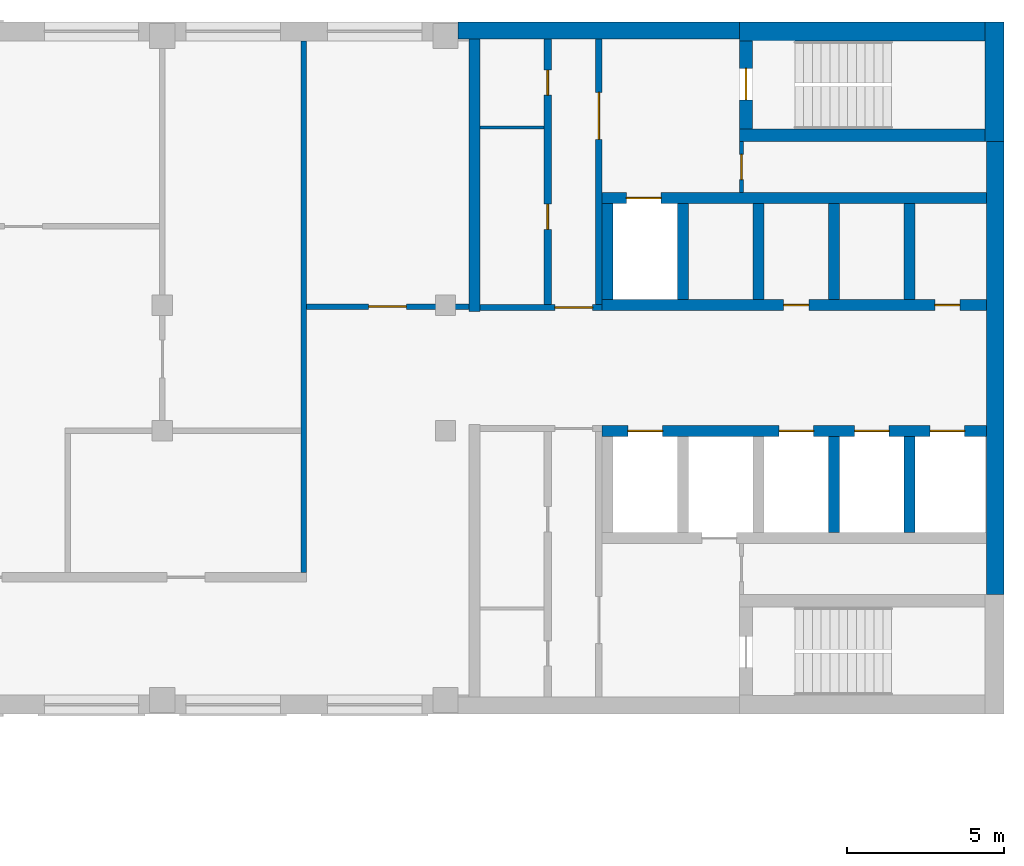
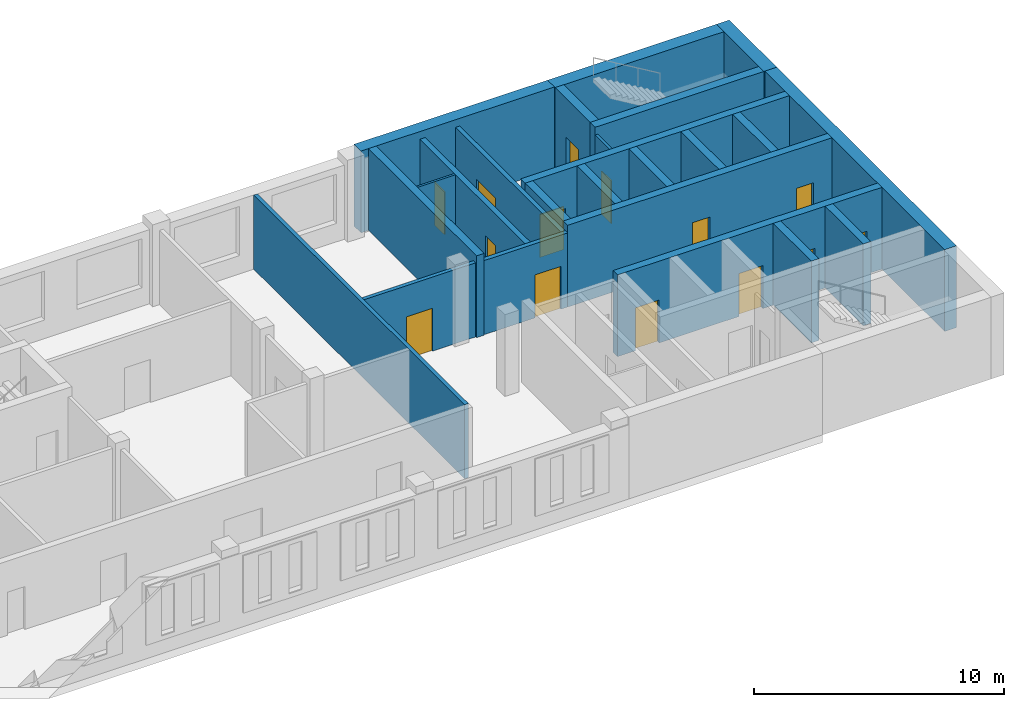
# One storey, part 6 of 8: 24 walls, 14 doors, 14 openings.
"""IFC4 building model written with IfcOpenShell, lengths in metres."""

from ifc_helpers import new_model, si_unit, direction, frame, frame_2d, origin, place, context, subcontext, project, spatial, rectangle, extrude, material, layer, layer_set, type_object, element, fill, save


model = new_model("IFC4")

# Units and contexts
model_context = context("Model", 3, precision=1e-05, world=origin(), true_north=direction((0.0, 1.0)))
body_context = subcontext(model_context, "Body", "Model", "MODEL_VIEW")
ifc_project = project(units=[si_unit("LENGTHUNIT", "METRE"), si_unit("AREAUNIT", "SQUARE_METRE"), si_unit("VOLUMEUNIT", "CUBIC_METRE"), si_unit("PLANEANGLEUNIT", "RADIAN"), si_unit("MASSUNIT", "GRAM", prefix="KILO")], contexts=[model_context])

# Site, building, storey
site_placement = place(None, origin())
site = spatial("IfcSite", under=ifc_project, at=site_placement, CompositionType="ELEMENT")
building_placement = place(site_placement, origin())
building = spatial("IfcBuilding", under=site, at=building_placement, Name="Skarvind Civic Tower", CompositionType="ELEMENT")
storey_placement = place(building_placement, frame((0.0, 0.0, 138.5)))
storey = spatial("IfcBuildingStorey", under=building, at=storey_placement, Name="L32", CompositionType="ELEMENT", Elevation=138.5)

# Wall
ifc_material_1 = material(Name="Acoustic gypsum board on steel studs", Category="steel")
ifc_layer_1 = layer(ifc_material_1, 0.175048828125)
ifc_layer_set_1 = layer_set([ifc_layer_1], Name="ACOUSTIC MEETING-ROOM PARTITION 175")
wall_type_1 = type_object("IfcWallType", Name="ACOUSTIC MEETING-ROOM PARTITION 175", PredefinedType="PARTITIONING", material=ifc_layer_set_1)
wall_1_placement = place(storey_placement, frame((85.75, 121.5, 0.0), z_axis=(0.0, 0.0, 1.0), x_axis=(0.0, 1.0, 0.0)))
element("IfcWall", 1, at=wall_1_placement, inside=storey, type_object=wall_type_1, Name="Partition 32.039", PredefinedType="PARTITIONING", context=body_context, shape_type="SweptSolid", body=[
    extrude(rectangle(XDim=16.89990234375, YDim=0.175048828125, at=frame_2d((8.449951171875, 0.0))), origin(), (0.0, 0.0, 1.0), 3.625),
])

# Wall, opening, door
wall_2_placement = place(storey_placement, frame((85.837890625, 129.949951171875, 0.0), z_axis=(0.0, 0.0, 1.0), x_axis=(1.0, 0.0, 0.0)))
wall_2 = element("IfcWall", 2, at=wall_2_placement, inside=storey, type_object=wall_type_1, Name="Partition 32.040", PredefinedType="PARTITIONING", context=body_context, shape_type="SweptSolid", body=[
    extrude(rectangle(XDim=5.162109375, YDim=0.175048828125, at=frame_2d((2.5810546875, 0.0))), origin(), (0.0, 0.0, 1.0), 3.625),
])
opening_1_placement = place(wall_2_placement, frame((1.970947265625, 0.0, 0.0)))
opening_1 = element("IfcOpeningElement", 3, at=opening_1_placement, cuts=wall_2, Name="Opening L32-D001", PredefinedType="OPENING", context=body_context, shape_type="SweptSolid", body=[
    extrude(rectangle(XDim=1.199951171875, YDim=2.10009765625, at=frame_2d((0.60009765625, 1.050048828125))), frame((0.0, 0.097412109375, 0.0), z_axis=(0.0, -1.0, 0.0), x_axis=(1.0, 0.0, 0.0)), (0.0, 0.0, 1.0), 0.195068359375),
])
ifc_material_2 = material(Name="Timber door leaf", Category="wood")
door_type_1 = type_object("IfcDoorType", Name="DOOR 1200X2100 DOUBLE TIMBER", OperationType="NOTDEFINED", PredefinedType="DOOR", material=ifc_material_2)
door_1_placement = place(opening_1_placement, origin())
door_1 = element("IfcDoor", 4, at=door_1_placement, inside=storey, type_object=door_type_1, Name="Door L32-D001", OperationType="DOUBLE_DOOR_SINGLE_SWING", OverallHeight=2.10009765625, OverallWidth=1.199951171875, PredefinedType="DOOR", context=body_context, shape_type="SweptSolid", body=[
    extrude(rectangle(XDim=1.199951171875, YDim=2.10009765625, at=frame_2d((0.60009765625, 1.050048828125))), frame((0.0, 0.02490234375, 0.0), z_axis=(0.0, -1.0, 0.0), x_axis=(1.0, 0.0, 0.0)), (0.0, 0.0, 1.0), 0.050048828125),
])
fill(opening_1, door_1)

ifc_material_3 = material(Name="Fire-rated masonry partition", Category="masonry")
ifc_layer_2 = layer(ifc_material_3, 0.199951171875)
ifc_layer_set_2 = layer_set([ifc_layer_2], Name="Core enclosure wall 200")
wall_type_2 = type_object("IfcWallType", Name="Core enclosure wall 200", PredefinedType="PARTITIONING", material=ifc_layer_set_2)
wall_3_placement = place(storey_placement, frame((91.35009765625, 129.925048828125, 0.0), z_axis=(0.0, 0.0, 1.0), x_axis=(1.0, 0.0, 0.0)))
wall_3 = element("IfcWall", 5, at=wall_3_placement, inside=storey, type_object=wall_type_2, Name="Core wall C1", PredefinedType="PARTITIONING", context=body_context, shape_type="SweptSolid", body=[
    extrude(rectangle(XDim=3.875, YDim=0.199951171875, at=frame_2d((1.9375, 0.0))), origin(), (0.0, 0.0, 1.0), 3.625),
])
opening_2_placement = place(wall_3_placement, frame((2.375, 0.0, 0.0)))
opening_2 = element("IfcOpeningElement", 6, at=opening_2_placement, cuts=wall_3, Name="Opening D-L32-C1-13", PredefinedType="OPENING", context=body_context, shape_type="SweptSolid", body=[
    extrude(rectangle(XDim=1.199951171875, YDim=2.10009765625, at=frame_2d((0.60009765625, 1.050048828125))), frame((0.0, 0.10986328125, 0.0), z_axis=(0.0, -1.0, 0.0), x_axis=(1.0, 0.0, 0.0)), (0.0, 0.0, 1.0), 0.219970703125),
])
ifc_material_4 = material(Name="Fire-rated steel door", Category="steel")
door_type_2 = type_object("IfcDoorType", Name="Core lobby door 1200", OperationType="NOTDEFINED", PredefinedType="DOOR", material=ifc_material_4)
door_2_placement = place(opening_2_placement, origin())
door_2 = element("IfcDoor", 7, at=door_2_placement, inside=storey, type_object=door_type_2, Name="Fire door", OperationType="DOUBLE_DOOR_SINGLE_SWING", OverallHeight=2.10009765625, OverallWidth=1.199951171875, PredefinedType="DOOR", context=body_context, shape_type="SweptSolid", body=[
    extrude(rectangle(XDim=1.199951171875, YDim=2.10009765625, at=frame_2d((0.60009765625, 1.050048828125))), frame((0.0, 0.02490234375, 0.0), z_axis=(0.0, -1.0, 0.0), x_axis=(1.0, 0.0, 0.0)), (0.0, 0.0, 1.0), 0.050048828125),
])
fill(opening_2, door_2)

wall_4_placement = place(storey_placement, frame((95.125, 130.02490234375, 0.0), z_axis=(0.0, 0.0, 1.0), x_axis=(0.0, 1.0, 0.0)))
wall_4 = element("IfcWall", 8, at=wall_4_placement, inside=storey, type_object=wall_type_2, Name="Core wall C1", PredefinedType="PARTITIONING", context=body_context, shape_type="SweptSolid", body=[
    extrude(rectangle(XDim=8.425048828125, YDim=0.199951171875, at=frame_2d((4.21240234375, 0.0))), origin(), (0.0, 0.0, 1.0), 3.625),
])
opening_3_placement = place(wall_4_placement, frame((5.237548828125, 0.0, 0.0)))
opening_3 = element("IfcOpeningElement", 9, at=opening_3_placement, cuts=wall_4, Name="Opening D-L32-C1-14", PredefinedType="OPENING", context=body_context, shape_type="SweptSolid", body=[
    extrude(rectangle(XDim=1.5, YDim=2.10009765625, at=frame_2d((0.75, 1.050048828125))), frame((0.0, 0.10986328125, 0.0), z_axis=(0.0, -1.0, 0.0), x_axis=(1.0, 0.0, 0.0)), (0.0, 0.0, 1.0), 0.219970703125),
])
door_type_3 = type_object("IfcDoorType", Name="Fire door 1500", OperationType="NOTDEFINED", PredefinedType="DOOR", material=ifc_material_4)
door_3_placement = place(opening_3_placement, origin())
door_3 = element("IfcDoor", 10, at=door_3_placement, inside=storey, type_object=door_type_3, Name="Fire door", OperationType="DOUBLE_DOOR_SINGLE_SWING", OverallHeight=2.10009765625, OverallWidth=1.5, PredefinedType="DOOR", context=body_context, shape_type="SweptSolid", body=[
    extrude(rectangle(XDim=1.5, YDim=2.10009765625, at=frame_2d((0.75, 1.050048828125))), frame((0.0, 0.02490234375, 0.0), z_axis=(0.0, -1.0, 0.0), x_axis=(1.0, 0.0, 0.0)), (0.0, 0.0, 1.0), 0.050048828125),
])
fill(opening_3, door_3)

# Wall
ifc_material_5 = material(Name="Fire-rated plasterboard partition")
ifc_layer_3 = layer(ifc_material_5, 0.10009765625)
ifc_layer_set_3 = layer_set([ifc_layer_3], Name="Core partition wall 100")
wall_type_3 = type_object("IfcWallType", Name="Core partition wall 100", PredefinedType="PARTITIONING", material=ifc_layer_set_3)
wall_5_placement = place(storey_placement, frame((91.35009765625, 135.639892578125, 0.0), z_axis=(0.0, 0.0, 1.0), x_axis=(1.0, 0.0, 0.0)))
element("IfcWall", 11, at=wall_5_placement, inside=storey, type_object=wall_type_3, Name="Core wall C1", PredefinedType="PARTITIONING", context=body_context, shape_type="SweptSolid", body=[
    extrude(rectangle(XDim=2.02490234375, YDim=0.10009765625, at=frame_2d((1.012451171875, 0.0))), origin(), (0.0, 0.0, 1.0), 3.625),
])

# Wall, openings, doors
ifc_material_6 = material(Name="Concrete C60", Category="concrete")
ifc_layer_4 = layer(ifc_material_6, 0.35009765625)
ifc_layer_set_4 = layer_set([ifc_layer_4], Name="Core wall 350 C60")
wall_type_4 = type_object("IfcWallType", Name="Core wall 350 C60", PredefinedType="SHEAR", material=ifc_layer_set_4)
wall_6_placement = place(storey_placement, frame((107.449951171875, 130.0, 0.0), z_axis=(0.0, 0.0, 1.0), x_axis=(-1.0, 0.0, 0.0)))
wall_6 = element("IfcWall", 12, at=wall_6_placement, inside=storey, type_object=wall_type_4, Name="Core wall C1 south lift row front L32", PredefinedType="SHEAR", context=body_context, shape_type="SweptSolid", body=[
    extrude(rectangle(XDim=12.224853515625, YDim=0.35009765625, at=frame_2d((6.1123046875, 0.0))), origin(), (0.0, 0.0, 1.0), 4.0),
])
opening_4_placement = place(wall_6_placement, frame((0.85009765625, 0.0, 0.0)))
opening_4 = element("IfcOpeningElement", 13, at=opening_4_placement, cuts=wall_6, Name="Opening D-L32-C1-05", PredefinedType="OPENING", context=body_context, shape_type="SweptSolid", body=[
    extrude(rectangle(XDim=0.800048828125, YDim=2.10009765625, at=frame_2d((0.39990234375, 1.050048828125))), frame((0.0, 0.18505859375, 0.0), z_axis=(0.0, -1.0, 0.0), x_axis=(1.0, 0.0, 0.0)), (0.0, 0.0, 1.0), 0.3701171875),
])
opening_5_placement = place(wall_6_placement, frame((5.64990234375, 0.0, 0.0)))
opening_5 = element("IfcOpeningElement", 14, at=opening_5_placement, cuts=wall_6, Name="Opening D-L32-C1-06", PredefinedType="OPENING", context=body_context, shape_type="SweptSolid", body=[
    extrude(rectangle(XDim=0.800048828125, YDim=2.10009765625, at=frame_2d((0.39990234375, 1.050048828125))), frame((0.0, 0.18505859375, 0.0), z_axis=(0.0, -1.0, 0.0), x_axis=(1.0, 0.0, 0.0)), (0.0, 0.0, 1.0), 0.3701171875),
])
door_type_4 = type_object("IfcDoorType", Name="Core riser door 800", OperationType="NOTDEFINED", PredefinedType="DOOR", material=ifc_material_4)
door_4_placement = place(opening_4_placement, origin())
door_4 = element("IfcDoor", 15, at=door_4_placement, inside=storey, type_object=door_type_4, Name="Riser door", OperationType="SINGLE_SWING_LEFT", OverallHeight=2.10009765625, OverallWidth=0.800048828125, PredefinedType="DOOR", context=body_context, shape_type="SweptSolid", body=[
    extrude(rectangle(XDim=0.800048828125, YDim=2.10009765625, at=frame_2d((0.39990234375, 1.050048828125))), frame((0.0, 0.02490234375, 0.0), z_axis=(0.0, -1.0, 0.0), x_axis=(1.0, 0.0, 0.0)), (0.0, 0.0, 1.0), 0.050048828125),
])
fill(opening_4, door_4)
door_5_placement = place(opening_5_placement, origin())
door_5 = element("IfcDoor", 16, at=door_5_placement, inside=storey, type_object=door_type_4, Name="Riser door", OperationType="SINGLE_SWING_RIGHT", OverallHeight=2.10009765625, OverallWidth=0.800048828125, PredefinedType="DOOR", context=body_context, shape_type="SweptSolid", body=[
    extrude(rectangle(XDim=0.800048828125, YDim=2.10009765625, at=frame_2d((0.39990234375, 1.050048828125))), frame((0.0, 0.02490234375, 0.0), z_axis=(0.0, -1.0, 0.0), x_axis=(1.0, 0.0, 0.0)), (0.0, 0.0, 1.0), 0.050048828125),
])
fill(opening_5, door_5)

# Wall, opening, door
wall_7_placement = place(storey_placement, frame((107.449951171875, 133.39990234375, 0.0), z_axis=(0.0, 0.0, 1.0), x_axis=(-1.0, 0.0, 0.0)))
wall_7 = element("IfcWall", 17, at=wall_7_placement, inside=storey, type_object=wall_type_4, Name="Core wall C1 south lift row back L32", PredefinedType="SHEAR", context=body_context, shape_type="SweptSolid", body=[
    extrude(rectangle(XDim=12.224853515625, YDim=0.35009765625, at=frame_2d((6.1123046875, 0.0))), origin(), (0.0, 0.0, 1.0), 4.0),
])
opening_6_placement = place(wall_7_placement, frame((10.35009765625, 0.0, 0.0)))
opening_6 = element("IfcOpeningElement", 18, at=opening_6_placement, cuts=wall_7, Name="Opening LD34110", PredefinedType="OPENING", context=body_context, shape_type="SweptSolid", body=[
    extrude(rectangle(XDim=1.10009765625, YDim=2.10009765625, at=frame_2d((0.550048828125, 1.050048828125))), frame((0.0, 0.18505859375, 0.0), z_axis=(0.0, -1.0, 0.0), x_axis=(1.0, 0.0, 0.0)), (0.0, 0.0, 1.0), 0.3701171875),
])
ifc_material_7 = material(Name="Stainless steel landing door", Category="steel")
door_type_5 = type_object("IfcDoorType", Name="Lift landing door 1100", OperationType="DOUBLE_DOOR_SLIDING", PredefinedType="DOOR", material=ifc_material_7)
door_6_placement = place(opening_6_placement, origin())
door_6 = element("IfcDoor", 19, at=door_6_placement, inside=storey, type_object=door_type_5, Name="Lift landing door", OperationType="DOUBLE_DOOR_SLIDING", OverallHeight=2.10009765625, OverallWidth=1.10009765625, PredefinedType="DOOR", context=body_context, shape_type="SweptSolid", body=[
    extrude(rectangle(XDim=1.10009765625, YDim=2.10009765625, at=frame_2d((0.550048828125, 1.050048828125))), frame((0.0, 0.02490234375, 0.0), z_axis=(0.0, -1.0, 0.0), x_axis=(1.0, 0.0, 0.0)), (0.0, 0.0, 1.0), 0.050048828125),
])
fill(opening_6, door_6)

# Walls
for number, where, z_axis, x_axis, name in (
    (20, (105.0, 133.22509765625, 0.0), (0.0, 0.0, 1.0), (0.0, -1.0, 0.0), "Core wall C1 south lift row division 1 L32"),
    (21, (102.60009765625, 133.22509765625, 0.0), (0.0, 0.0, 1.0), (0.0, -1.0, 0.0), "Core wall C1 south lift row division 2 L32"),
    (22, (100.199951171875, 133.22509765625, 0.0), (0.0, 0.0, 1.0), (0.0, -1.0, 0.0), "Core wall C1 south lift row division 3 L32"),
    (23, (97.800048828125, 133.22509765625, 0.0), (0.0, 0.0, 1.0), (0.0, -1.0, 0.0), "Core wall C1 south lift row division 4 L32"),
    (24, (95.39990234375, 133.22509765625, 0.0), (0.0, 0.0, 1.0), (0.0, -1.0, 0.0), "Core wall C1 south lift row division 5 L32"),
):
    element("IfcWall", number, at=place(storey_placement, frame(where, z_axis=z_axis, x_axis=x_axis)), inside=storey, type_object=wall_type_4, Name=name, PredefinedType="SHEAR", context=body_context, shape_type="SweptSolid", body=[
        extrude(rectangle(XDim=3.050048828125, YDim=0.35009765625, at=frame_2d((1.52490234375, 0.0))), origin(), (0.0, 0.0, 1.0), 4.0),
    ])

# Wall, openings, doors
wall_8_placement = place(storey_placement, frame((107.449951171875, 126.0, 0.0), z_axis=(0.0, 0.0, 1.0), x_axis=(-1.0, 0.0, 0.0)))
wall_8 = element("IfcWall", 25, at=wall_8_placement, inside=storey, type_object=wall_type_4, Name="Core wall C1 north lift row front L32", PredefinedType="SHEAR", context=body_context, shape_type="SweptSolid", body=[
    extrude(rectangle(XDim=12.224853515625, YDim=0.35009765625, at=frame_2d((6.1123046875, 0.0))), origin(), (0.0, 0.0, 1.0), 4.0),
])
opening_7_placement = place(wall_8_placement, frame((0.699951171875, 0.0, 0.0)))
opening_7 = element("IfcOpeningElement", 26, at=opening_7_placement, cuts=wall_8, Name="Opening LD34101", PredefinedType="OPENING", context=body_context, shape_type="SweptSolid", body=[
    extrude(rectangle(XDim=1.10009765625, YDim=2.10009765625, at=frame_2d((0.550048828125, 1.050048828125))), frame((0.0, 0.18505859375, 0.0), z_axis=(0.0, -1.0, 0.0), x_axis=(1.0, 0.0, 0.0)), (0.0, 0.0, 1.0), 0.3701171875),
])
opening_8_placement = place(wall_8_placement, frame((3.10009765625, 0.0, 0.0)))
opening_8 = element("IfcOpeningElement", 27, at=opening_8_placement, cuts=wall_8, Name="Opening LD34102", PredefinedType="OPENING", context=body_context, shape_type="SweptSolid", body=[
    extrude(rectangle(XDim=1.10009765625, YDim=2.10009765625, at=frame_2d((0.550048828125, 1.050048828125))), frame((0.0, 0.18505859375, 0.0), z_axis=(0.0, -1.0, 0.0), x_axis=(1.0, 0.0, 0.0)), (0.0, 0.0, 1.0), 0.3701171875),
])
opening_9_placement = place(wall_8_placement, frame((5.5, 0.0, 0.0)))
opening_9 = element("IfcOpeningElement", 28, at=opening_9_placement, cuts=wall_8, Name="Opening LD34103", PredefinedType="OPENING", context=body_context, shape_type="SweptSolid", body=[
    extrude(rectangle(XDim=1.10009765625, YDim=2.10009765625, at=frame_2d((0.550048828125, 1.050048828125))), frame((0.0, 0.18505859375, 0.0), z_axis=(0.0, -1.0, 0.0), x_axis=(1.0, 0.0, 0.0)), (0.0, 0.0, 1.0), 0.3701171875),
])
opening_10_placement = place(wall_8_placement, frame((10.300048828125, 0.0, 0.0)))
opening_10 = element("IfcOpeningElement", 29, at=opening_10_placement, cuts=wall_8, Name="Opening LD34105", PredefinedType="OPENING", context=body_context, shape_type="SweptSolid", body=[
    extrude(rectangle(XDim=1.10009765625, YDim=2.10009765625, at=frame_2d((0.550048828125, 1.050048828125))), frame((0.0, 0.18505859375, 0.0), z_axis=(0.0, -1.0, 0.0), x_axis=(1.0, 0.0, 0.0)), (0.0, 0.0, 1.0), 0.3701171875),
])
door_7_placement = place(opening_7_placement, origin())
door_7 = element("IfcDoor", 30, at=door_7_placement, inside=storey, type_object=door_type_5, Name="Lift landing door", OperationType="DOUBLE_DOOR_SLIDING", OverallHeight=2.10009765625, OverallWidth=1.10009765625, PredefinedType="DOOR", context=body_context, shape_type="SweptSolid", body=[
    extrude(rectangle(XDim=1.10009765625, YDim=2.10009765625, at=frame_2d((0.550048828125, 1.050048828125))), frame((0.0, 0.02490234375, 0.0), z_axis=(0.0, -1.0, 0.0), x_axis=(1.0, 0.0, 0.0)), (0.0, 0.0, 1.0), 0.050048828125),
])
fill(opening_7, door_7)
door_8_placement = place(opening_8_placement, origin())
door_8 = element("IfcDoor", 31, at=door_8_placement, inside=storey, type_object=door_type_5, Name="Lift landing door", OperationType="DOUBLE_DOOR_SLIDING", OverallHeight=2.10009765625, OverallWidth=1.10009765625, PredefinedType="DOOR", context=body_context, shape_type="SweptSolid", body=[
    extrude(rectangle(XDim=1.10009765625, YDim=2.10009765625, at=frame_2d((0.550048828125, 1.050048828125))), frame((0.0, 0.02490234375, 0.0), z_axis=(0.0, -1.0, 0.0), x_axis=(1.0, 0.0, 0.0)), (0.0, 0.0, 1.0), 0.050048828125),
])
fill(opening_8, door_8)
door_9_placement = place(opening_9_placement, origin())
door_9 = element("IfcDoor", 32, at=door_9_placement, inside=storey, type_object=door_type_5, Name="Lift landing door", OperationType="DOUBLE_DOOR_SLIDING", OverallHeight=2.10009765625, OverallWidth=1.10009765625, PredefinedType="DOOR", context=body_context, shape_type="SweptSolid", body=[
    extrude(rectangle(XDim=1.10009765625, YDim=2.10009765625, at=frame_2d((0.550048828125, 1.050048828125))), frame((0.0, 0.02490234375, 0.0), z_axis=(0.0, -1.0, 0.0), x_axis=(1.0, 0.0, 0.0)), (0.0, 0.0, 1.0), 0.050048828125),
])
fill(opening_9, door_9)
door_10_placement = place(opening_10_placement, origin())
door_10 = element("IfcDoor", 33, at=door_10_placement, inside=storey, type_object=door_type_5, Name="Lift landing door", OperationType="DOUBLE_DOOR_SLIDING", OverallHeight=2.10009765625, OverallWidth=1.10009765625, PredefinedType="DOOR", context=body_context, shape_type="SweptSolid", body=[
    extrude(rectangle(XDim=1.10009765625, YDim=2.10009765625, at=frame_2d((0.550048828125, 1.050048828125))), frame((0.0, 0.02490234375, 0.0), z_axis=(0.0, -1.0, 0.0), x_axis=(1.0, 0.0, 0.0)), (0.0, 0.0, 1.0), 0.050048828125),
])
fill(opening_10, door_10)

# Walls
for number, where, z_axis, x_axis, name in (
    (34, (105.0, 125.824951171875, 0.0), (0.0, 0.0, 1.0), (0.0, -1.0, 0.0), "Core wall C1 north lift row division 1 L32"),
    (35, (102.60009765625, 125.824951171875, 0.0), (0.0, 0.0, 1.0), (0.0, -1.0, 0.0), "Core wall C1 north lift row division 2 L32"),
):
    element("IfcWall", number, at=place(storey_placement, frame(where, z_axis=z_axis, x_axis=x_axis)), inside=storey, type_object=wall_type_4, Name=name, PredefinedType="SHEAR", context=body_context, shape_type="SweptSolid", body=[
        extrude(rectangle(XDim=3.050048828125, YDim=0.35009765625, at=frame_2d((1.52490234375, 0.0))), origin(), (0.0, 0.0, 1.0), 4.0),
    ])
wall_9_placement = place(storey_placement, frame((91.175048828125, 138.449951171875, 0.0), z_axis=(0.0, 0.0, 1.0), x_axis=(0.0, -1.0, 0.0)))
element("IfcWall", 36, at=wall_9_placement, inside=storey, type_object=wall_type_4, Name="Core wall C1 south inner face L32", PredefinedType="SHEAR", context=body_context, shape_type="SweptSolid", body=[
    extrude(rectangle(XDim=8.64990234375, YDim=0.35009765625, at=frame_2d((4.324951171875, 0.0))), origin(), (0.0, 0.0, 1.0), 4.0),
])
ifc_layer_5 = layer(ifc_material_6, 0.39990234375)
ifc_layer_set_5 = layer_set([ifc_layer_5], Name="Core wall 400 C60")
wall_type_5 = type_object("IfcWallType", Name="Core wall 400 C60", PredefinedType="SHEAR", material=ifc_layer_set_5)
wall_10_placement = place(storey_placement, frame((107.39990234375, 135.39990234375, 0.0), z_axis=(0.0, 0.0, 1.0), x_axis=(-1.0, 0.0, 0.0)))
element("IfcWall", 37, at=wall_10_placement, inside=storey, type_object=wall_type_5, Name="Core wall C1 south stair inner L32", PredefinedType="SHEAR", context=body_context, shape_type="SweptSolid", body=[
    extrude(rectangle(XDim=7.7998046875, YDim=0.39990234375, at=frame_2d((3.89990234375, 0.0))), origin(), (0.0, 0.0, 1.0), 4.0),
])

# Wall, opening, door
wall_11_placement = place(storey_placement, frame((99.800048828125, 138.39990234375, 0.0), z_axis=(0.0, 0.0, 1.0), x_axis=(0.0, -1.0, 0.0)))
wall_11 = element("IfcWall", 38, at=wall_11_placement, inside=storey, type_object=wall_type_5, Name="Core wall C1 south stair end L32", PredefinedType="SHEAR", context=body_context, shape_type="SweptSolid", body=[
    extrude(rectangle(XDim=2.7998046875, YDim=0.39990234375, at=frame_2d((1.39990234375, 0.0))), origin(), (0.0, 0.0, 1.0), 4.0),
])
opening_11_placement = place(wall_11_placement, frame((0.875, 0.0, 0.0)))
opening_11 = element("IfcOpeningElement", 39, at=opening_11_placement, cuts=wall_11, Name="Opening D-L32-C1-15", PredefinedType="OPENING", context=body_context, shape_type="SweptSolid", body=[
    extrude(rectangle(XDim=1.0, YDim=2.10009765625, at=frame_2d((0.5, 1.050048828125))), frame((0.0, 0.2099609375, 0.0), z_axis=(0.0, -1.0, 0.0), x_axis=(1.0, 0.0, 0.0)), (0.0, 0.0, 1.0), 0.419921875),
])
door_type_6 = type_object("IfcDoorType", Name="Fire door 1000", OperationType="NOTDEFINED", PredefinedType="DOOR", material=ifc_material_4)
door_11_placement = place(opening_11_placement, origin())
door_11 = element("IfcDoor", 40, at=door_11_placement, inside=storey, type_object=door_type_6, Name="Fire door", OperationType="SINGLE_SWING_RIGHT", OverallHeight=2.10009765625, OverallWidth=1.0, PredefinedType="DOOR", context=body_context, shape_type="SweptSolid", body=[
    extrude(rectangle(XDim=1.0, YDim=2.10009765625, at=frame_2d((0.5, 1.050048828125))), frame((0.0, 0.02490234375, 0.0), z_axis=(0.0, -1.0, 0.0), x_axis=(1.0, 0.0, 0.0)), (0.0, 0.0, 1.0), 0.050048828125),
])
fill(opening_11, door_11)

# Walls
ifc_layer_6 = layer(ifc_material_6, 0.550048828125)
ifc_layer_set_6 = layer_set([ifc_layer_6], Name="Core wall 550 C60")
wall_type_6 = type_object("IfcWallType", Name="Core wall 550 C60", PredefinedType="SHEAR", material=ifc_layer_set_6)
wall_12_placement = place(storey_placement, frame((107.72509765625, 135.199951171875, 0.0), z_axis=(0.0, 0.0, 1.0), x_axis=(0.0, -1.0, 0.0)))
element("IfcWall", 41, at=wall_12_placement, inside=storey, type_object=wall_type_6, Name="Core wall C1 tip between the stairs L32", PredefinedType="SHEAR", context=body_context, shape_type="SweptSolid", body=[
    extrude(rectangle(XDim=14.39990234375, YDim=0.550048828125, at=frame_2d((7.199951171875, 0.0))), origin(), (0.0, 0.0, 1.0), 4.0),
])
wall_13_placement = place(storey_placement, frame((99.60009765625, 138.72509765625, 0.0), z_axis=(0.0, 0.0, 1.0), x_axis=(-1.0, 0.0, 0.0)))
element("IfcWall", 42, at=wall_13_placement, inside=storey, type_object=wall_type_6, Name="Core wall C1 south side L32", PredefinedType="SHEAR", context=body_context, shape_type="SweptSolid", body=[
    extrude(rectangle(XDim=8.9501953125, YDim=0.550048828125, at=frame_2d((4.47509765625, 0.0))), origin(), (0.0, 0.0, 1.0), 4.0),
])
ifc_layer_7 = layer(ifc_material_6, 0.60009765625)
ifc_layer_set_7 = layer_set([ifc_layer_7], Name="Core wall 600 C60")
wall_type_7 = type_object("IfcWallType", Name="Core wall 600 C60", PredefinedType="SHEAR", material=ifc_layer_set_7)
wall_14_placement = place(storey_placement, frame((107.699951171875, 139.0, 0.0), z_axis=(0.0, 0.0, 1.0), x_axis=(0.0, -1.0, 0.0)))
element("IfcWall", 43, at=wall_14_placement, inside=storey, type_object=wall_type_7, Name="Core wall C1 tip at the south stair L32", PredefinedType="SHEAR", context=body_context, shape_type="SweptSolid", body=[
    extrude(rectangle(XDim=3.800048828125, YDim=0.60009765625, at=frame_2d((1.89990234375, 0.0))), origin(), (0.0, 0.0, 1.0), 4.0),
])
wall_15_placement = place(storey_placement, frame((107.39990234375, 138.699951171875, 0.0), z_axis=(0.0, 0.0, 1.0), x_axis=(-1.0, 0.0, 0.0)))
element("IfcWall", 44, at=wall_15_placement, inside=storey, type_object=wall_type_7, Name="Core wall C1 south side at the stair L32", PredefinedType="SHEAR", context=body_context, shape_type="SweptSolid", body=[
    extrude(rectangle(XDim=7.7998046875, YDim=0.60009765625, at=frame_2d((3.89990234375, 0.0))), origin(), (0.0, 0.0, 1.0), 4.0),
])

# Wall, opening, door
ifc_layer_8 = layer(ifc_material_3, 0.125)
ifc_layer_set_8 = layer_set([ifc_layer_8], Name="Riser wall 125")
wall_type_8 = type_object("IfcWallType", Name="Riser wall 125", PredefinedType="PARTITIONING", material=ifc_layer_set_8)
wall_16_placement = place(storey_placement, frame((99.66259765625, 133.574951171875, 0.0), z_axis=(0.0, 0.0, 1.0), x_axis=(0.0, 1.0, 0.0)))
wall_16 = element("IfcWall", 45, at=wall_16_placement, inside=storey, type_object=wall_type_8, Name="Core wall C1", PredefinedType="PARTITIONING", context=body_context, shape_type="SweptSolid", body=[
    extrude(rectangle(XDim=1.625, YDim=0.125, at=frame_2d((0.8125, 0.0))), origin(), (0.0, 0.0, 1.0), 3.625),
])
opening_12_placement = place(wall_16_placement, frame((0.41259765625, 0.0, 0.0)))
opening_12 = element("IfcOpeningElement", 46, at=opening_12_placement, cuts=wall_16, Name="Opening D-L32-C1-16", PredefinedType="OPENING", context=body_context, shape_type="SweptSolid", body=[
    extrude(rectangle(XDim=0.800048828125, YDim=2.10009765625, at=frame_2d((0.39990234375, 1.050048828125))), frame((0.0, 0.072509765625, 0.0), z_axis=(0.0, -1.0, 0.0), x_axis=(1.0, 0.0, 0.0)), (0.0, 0.0, 1.0), 0.14501953125),
])
door_12_placement = place(opening_12_placement, origin())
door_12 = element("IfcDoor", 47, at=door_12_placement, inside=storey, type_object=door_type_4, Name="Riser door", OperationType="SINGLE_SWING_LEFT", OverallHeight=2.10009765625, OverallWidth=0.800048828125, PredefinedType="DOOR", context=body_context, shape_type="SweptSolid", body=[
    extrude(rectangle(XDim=0.800048828125, YDim=2.10009765625, at=frame_2d((0.39990234375, 1.050048828125))), frame((0.0, 0.02490234375, 0.0), z_axis=(0.0, -1.0, 0.0), x_axis=(1.0, 0.0, 0.0)), (0.0, 0.0, 1.0), 0.050048828125),
])
fill(opening_12, door_12)

# Wall, openings, doors
ifc_layer_9 = layer(ifc_material_3, 0.25)
ifc_layer_set_9 = layer_set([ifc_layer_9], Name="Service block wall 250")
wall_type_9 = type_object("IfcWallType", Name="Service block wall 250", PredefinedType="PARTITIONING", material=ifc_layer_set_9)
wall_17_placement = place(storey_placement, frame((93.5, 130.02490234375, 0.0), z_axis=(0.0, 0.0, 1.0), x_axis=(0.0, 1.0, 0.0)))
wall_17 = element("IfcWall", 48, at=wall_17_placement, inside=storey, type_object=wall_type_9, Name="Core wall C1", PredefinedType="PARTITIONING", context=body_context, shape_type="SweptSolid", body=[
    extrude(rectangle(XDim=8.425048828125, YDim=0.25, at=frame_2d((4.21240234375, 0.0))), origin(), (0.0, 0.0, 1.0), 3.625),
])
opening_13_placement = place(wall_17_placement, frame((2.382568359375, 0.0, 0.0)))
opening_13 = element("IfcOpeningElement", 49, at=opening_13_placement, cuts=wall_17, Name="Opening D-L32-C1-17", PredefinedType="OPENING", context=body_context, shape_type="SweptSolid", body=[
    extrude(rectangle(XDim=0.800048828125, YDim=2.10009765625, at=frame_2d((0.39990234375, 1.050048828125))), frame((0.0, 0.135009765625, 0.0), z_axis=(0.0, -1.0, 0.0), x_axis=(1.0, 0.0, 0.0)), (0.0, 0.0, 1.0), 0.27001953125),
])
opening_14_placement = place(wall_17_placement, frame((6.64501953125, 0.0, 0.0)))
opening_14 = element("IfcOpeningElement", 50, at=opening_14_placement, cuts=wall_17, Name="Opening D-L32-C1-18", PredefinedType="OPENING", context=body_context, shape_type="SweptSolid", body=[
    extrude(rectangle(XDim=0.800048828125, YDim=2.10009765625, at=frame_2d((0.39990234375, 1.050048828125))), frame((0.0, 0.135009765625, 0.0), z_axis=(0.0, -1.0, 0.0), x_axis=(1.0, 0.0, 0.0)), (0.0, 0.0, 1.0), 0.27001953125),
])
door_13_placement = place(opening_13_placement, origin())
door_13 = element("IfcDoor", 51, at=door_13_placement, inside=storey, type_object=door_type_4, Name="Riser door", OperationType="SINGLE_SWING_RIGHT", OverallHeight=2.10009765625, OverallWidth=0.800048828125, PredefinedType="DOOR", context=body_context, shape_type="SweptSolid", body=[
    extrude(rectangle(XDim=0.800048828125, YDim=2.10009765625, at=frame_2d((0.39990234375, 1.050048828125))), frame((0.0, 0.02490234375, 0.0), z_axis=(0.0, -1.0, 0.0), x_axis=(1.0, 0.0, 0.0)), (0.0, 0.0, 1.0), 0.050048828125),
])
fill(opening_13, door_13)
door_14_placement = place(opening_14_placement, origin())
door_14 = element("IfcDoor", 52, at=door_14_placement, inside=storey, type_object=door_type_4, Name="Riser door", OperationType="SINGLE_SWING_LEFT", OverallHeight=2.10009765625, OverallWidth=0.800048828125, PredefinedType="DOOR", context=body_context, shape_type="SweptSolid", body=[
    extrude(rectangle(XDim=0.800048828125, YDim=2.10009765625, at=frame_2d((0.39990234375, 1.050048828125))), frame((0.0, 0.02490234375, 0.0), z_axis=(0.0, -1.0, 0.0), x_axis=(1.0, 0.0, 0.0)), (0.0, 0.0, 1.0), 0.050048828125),
])
fill(opening_14, door_14)

save(model, "model.ifc")
